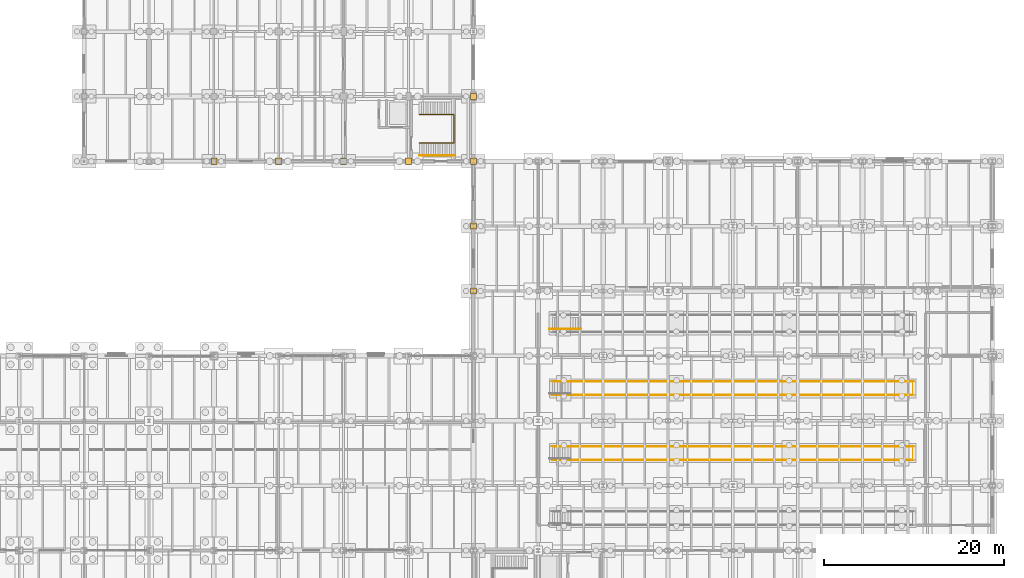
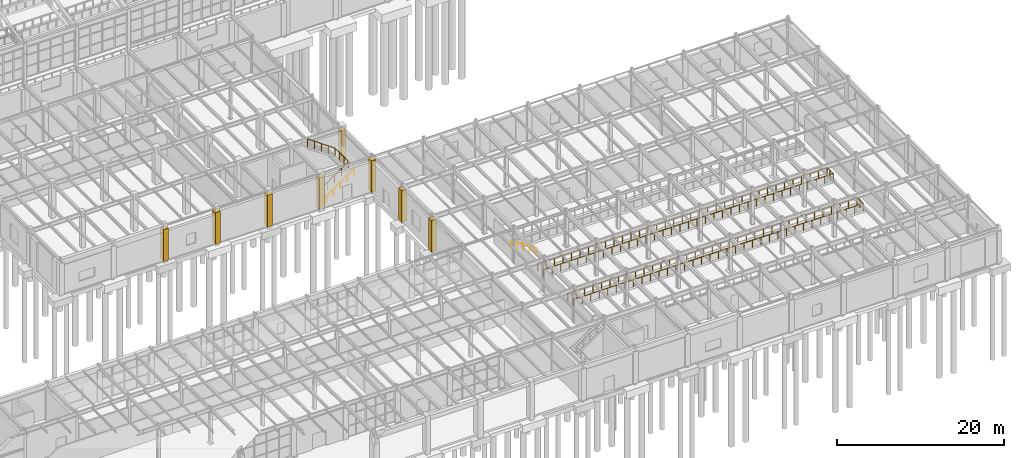
# One storey, part 290 of 293: 8 coverings, 5 railings.
"""IFC4 building model written with IfcOpenShell, lengths in metres."""

from ifc_helpers import new_model, si_unit, direction, frame, origin, origin_2d, place, context, subcontext, project, spatial, polyline, circle, outline, extrude, material, layer, layer_set, type_object, element, save


model = new_model("IFC4")

# Units and contexts
model_context = context("Model", 3, precision=1e-05, world=origin(), true_north=direction((0.0, 1.0)))
body_context = subcontext(model_context, "Body", "Model", "MODEL_VIEW")
ifc_project = project(units=[si_unit("LENGTHUNIT", "METRE"), si_unit("AREAUNIT", "SQUARE_METRE"), si_unit("VOLUMEUNIT", "CUBIC_METRE"), si_unit("PLANEANGLEUNIT", "RADIAN"), si_unit("MASSUNIT", "GRAM", prefix="KILO")], contexts=[model_context])

# Site, building, storey
site_placement = place(None, origin())
site = spatial("IfcSite", under=ifc_project, at=site_placement, CompositionType="ELEMENT")
building_placement = place(site_placement, origin())
building = spatial("IfcBuilding", under=site, at=building_placement, Name="Kemerveld Promenade Tramway Depot", CompositionType="ELEMENT")
storey_placement = place(building_placement, origin())
storey = spatial("IfcBuildingStorey", under=building, at=storey_placement, Name="L00", CompositionType="ELEMENT", Elevation=0.0)

# Coverings
ifc_material_1 = material(Name="Dressed Harare granite ashlar cladding", Category="masonry")
ifc_layer = layer(ifc_material_1, 0.050048828125)
ifc_layer_set = layer_set([ifc_layer], Name="COV-CLAD-GRAN")
covering_type = type_object("IfcCoveringType", Name="COV-CLAD-GRAN", PredefinedType="CLADDING", material=ifc_layer_set)
covering_1_placement = place(storey_placement, origin())
element("IfcCovering", 1, at=covering_1_placement, inside=storey, type_object=covering_type, Name="CLAD-PIER-L00-156", PredefinedType="CLADDING", context=body_context, shape_type="SweptSolid", body=[
    extrude(outline(polyline([(158.06005859375, 57.260009765625), (158.739990234375, 57.260009765625), (158.739990234375, 57.93994140625), (158.06005859375, 57.93994140625), (158.06005859375, 57.260009765625)])), origin(), (0.0, 0.0, 1.0), 4.64990234375),
])
covering_2_placement = place(storey_placement, origin())
element("IfcCovering", 2, at=covering_2_placement, inside=storey, type_object=covering_type, Name="CLAD-PIER-L00-157", PredefinedType="CLADDING", context=body_context, shape_type="SweptSolid", body=[
    extrude(outline(polyline([(158.06005859375, 50.06005859375), (158.739990234375, 50.06005859375), (158.739990234375, 50.739990234375), (158.06005859375, 50.739990234375), (158.06005859375, 50.06005859375)])), origin(), (0.0, 0.0, 1.0), 4.64990234375),
])
covering_3_placement = place(storey_placement, origin())
element("IfcCovering", 3, at=covering_3_placement, inside=storey, type_object=covering_type, Name="CLAD-PIER-L00-158", PredefinedType="CLADDING", context=body_context, shape_type="SweptSolid", body=[
    extrude(outline(polyline([(150.860107421875, 50.06005859375), (151.5400390625, 50.06005859375), (151.5400390625, 50.739990234375), (150.860107421875, 50.739990234375), (150.860107421875, 50.06005859375)])), origin(), (0.0, 0.0, 1.0), 4.64990234375),
])
covering_4_placement = place(storey_placement, origin())
element("IfcCovering", 4, at=covering_4_placement, inside=storey, type_object=covering_type, Name="CLAD-PIER-L00-159", PredefinedType="CLADDING", context=body_context, shape_type="SweptSolid", body=[
    extrude(outline(polyline([(143.659912109375, 50.06005859375), (144.340087890625, 50.06005859375), (144.340087890625, 50.739990234375), (143.659912109375, 50.739990234375), (143.659912109375, 50.06005859375)])), origin(), (0.0, 0.0, 1.0), 4.64990234375),
])
covering_5_placement = place(storey_placement, origin())
element("IfcCovering", 5, at=covering_5_placement, inside=storey, type_object=covering_type, Name="CLAD-PIER-L00-160", PredefinedType="CLADDING", context=body_context, shape_type="SweptSolid", body=[
    extrude(outline(polyline([(136.4599609375, 50.06005859375), (137.139892578125, 50.06005859375), (137.139892578125, 50.739990234375), (136.4599609375, 50.739990234375), (136.4599609375, 50.06005859375)])), origin(), (0.0, 0.0, 1.0), 4.64990234375),
])
covering_6_placement = place(storey_placement, origin())
element("IfcCovering", 6, at=covering_6_placement, inside=storey, type_object=covering_type, Name="CLAD-PIER-L00-161", PredefinedType="CLADDING", context=body_context, shape_type="SweptSolid", body=[
    extrude(outline(polyline([(129.260009765625, 50.06005859375), (129.93994140625, 50.06005859375), (129.93994140625, 50.739990234375), (129.260009765625, 50.739990234375), (129.260009765625, 50.06005859375)])), origin(), (0.0, 0.0, 1.0), 4.64990234375),
])
covering_7_placement = place(storey_placement, origin())
element("IfcCovering", 7, at=covering_7_placement, inside=storey, type_object=covering_type, Name="CLAD-PIER-L00-187", PredefinedType="CLADDING", context=body_context, shape_type="SweptSolid", body=[
    extrude(outline(polyline([(158.06005859375, 35.659912109375), (158.739990234375, 35.659912109375), (158.739990234375, 36.340087890625), (158.06005859375, 36.340087890625), (158.06005859375, 35.659912109375)])), origin(), (0.0, 0.0, 1.0), 4.64990234375),
])
covering_8_placement = place(storey_placement, origin())
element("IfcCovering", 8, at=covering_8_placement, inside=storey, type_object=covering_type, Name="CLAD-PIER-L00-188", PredefinedType="CLADDING", context=body_context, shape_type="SweptSolid", body=[
    extrude(outline(polyline([(158.06005859375, 42.860107421875), (158.739990234375, 42.860107421875), (158.739990234375, 43.5400390625), (158.06005859375, 43.5400390625), (158.06005859375, 42.860107421875)])), origin(), (0.0, 0.0, 1.0), 4.64990234375),
])

# Railings
ifc_material_2 = material(Name="Galvanised painted steel balustrade", Category="steel")
railing_type_1 = type_object("IfcRailingType", Name="RL-GRD-1100", PredefinedType="GUARDRAIL", material=ifc_material_2)
railing_1_placement = place(storey_placement, frame((152.419921875, 52.4150390625, 0.0)))
element("IfcRailing", 9, at=railing_1_placement, inside=storey, type_object=railing_type_1, Name="RL-GRD-ST-06-L00", PredefinedType="GUARDRAIL", context=body_context, shape_type="SweptSolid", body=[
    extrude(circle(Radius=0.02392578125, at=origin_2d()), frame((0.0, 0.0, 1.09619140625), z_axis=(0.815907329288, 0.0, 0.578182696052), x_axis=(0.0, 1.0, 0.0)), (0.0, 0.0, 1.0), 4.669677734375),
    extrude(circle(Radius=0.02392578125, at=origin_2d()), frame((3.81005859375, 0.0, 3.7958984375), z_axis=(0.0, 1.0, 0.0), x_axis=(-1.0, 0.0, 0.0)), (0.0, 0.0, 1.0), 3.169921875),
    extrude(circle(Radius=0.02392578125, at=origin_2d()), frame((3.81005859375, 3.169921875, 3.7958984375), z_axis=(-0.815907329288, 0.0, 0.578182696052), x_axis=(0.0, -1.0, 0.0)), (0.0, 0.0, 1.0), 4.669677734375),
    extrude(circle(Radius=0.02099609375, at=origin_2d()), origin(), (0.0, 0.0, 1.0), 1.072021484375),
    extrude(circle(Radius=0.02099609375, at=origin_2d()), frame((0.95263671875, 0.0, 0.675048828125)), (0.0, 0.0, 1.0), 1.072021484375),
    extrude(circle(Radius=0.02099609375, at=origin_2d()), frame((1.905029296875, 0.0, 1.35009765625)), (0.0, 0.0, 1.0), 1.072021484375),
    extrude(circle(Radius=0.02099609375, at=origin_2d()), frame((2.857421875, 0.0, 2.02490234375)), (0.0, 0.0, 1.0), 1.072021484375),
    extrude(circle(Radius=0.02099609375, at=origin_2d()), frame((3.81005859375, 0.0, 2.699951171875)), (0.0, 0.0, 1.0), 1.072021484375),
    extrude(circle(Radius=0.02099609375, at=origin_2d()), frame((3.81005859375, 1.056640625, 2.699951171875)), (0.0, 0.0, 1.0), 1.072021484375),
    extrude(circle(Radius=0.02099609375, at=origin_2d()), frame((3.81005859375, 2.11328125, 2.699951171875)), (0.0, 0.0, 1.0), 1.072021484375),
    extrude(circle(Radius=0.02099609375, at=origin_2d()), frame((3.81005859375, 3.169921875, 2.699951171875)), (0.0, 0.0, 1.0), 1.072021484375),
    extrude(circle(Radius=0.02099609375, at=origin_2d()), frame((2.857421875, 3.169921875, 3.375)), (0.0, 0.0, 1.0), 1.072021484375),
    extrude(circle(Radius=0.02099609375, at=origin_2d()), frame((1.905029296875, 3.169921875, 4.0498046875)), (0.0, 0.0, 1.0), 1.072021484375),
    extrude(circle(Radius=0.02099609375, at=origin_2d()), frame((0.95263671875, 3.169921875, 4.724853515625)), (0.0, 0.0, 1.0), 1.072021484375),
    extrude(circle(Radius=0.02099609375, at=origin_2d()), frame((0.0, 3.169921875, 5.39990234375)), (0.0, 0.0, 1.0), 1.072021484375),
])
railing_2_placement = place(storey_placement, frame((167.14990234375, 17.39501953125, 0.0)))
element("IfcRailing", 10, at=railing_2_placement, inside=storey, type_object=railing_type_1, Name="RL-PIT-PIT-09", PredefinedType="GUARDRAIL", context=body_context, shape_type="SweptSolid", body=[
    extrude(circle(Radius=0.02392578125, at=origin_2d()), frame((0.0, 0.0, 1.09619140625), z_axis=(0.0, -1.0, 0.0), x_axis=(1.0, 0.0, 0.0)), (0.0, 0.0, 1.0), 0.14501953125),
    extrude(circle(Radius=0.02392578125, at=origin_2d()), frame((0.0, -0.14501953125, 1.09619140625), z_axis=(1.0, 0.0, 0.0), x_axis=(0.0, 1.0, 0.0)), (0.0, 0.0, 1.0), 40.10009765625),
    extrude(circle(Radius=0.02392578125, at=origin_2d()), frame((40.10009765625, -0.14501953125, 1.09619140625), z_axis=(0.0, 1.0, 0.0), x_axis=(-1.0, 0.0, 0.0)), (0.0, 0.0, 1.0), 1.5),
    extrude(circle(Radius=0.02392578125, at=origin_2d()), frame((40.10009765625, 1.35498046875, 1.09619140625), z_axis=(-1.0, 0.0, 0.0), x_axis=(0.0, -1.0, 0.0)), (0.0, 0.0, 1.0), 40.10009765625),
    extrude(circle(Radius=0.02392578125, at=origin_2d()), frame((0.0, 1.35498046875, 1.09619140625), z_axis=(0.0, -1.0, 0.0), x_axis=(1.0, 0.0, 0.0)), (0.0, 0.0, 1.0), 0.14501953125),
    extrude(circle(Radius=0.02099609375, at=origin_2d()), origin(), (0.0, 0.0, 1.0), 1.072021484375),
    extrude(circle(Radius=0.02099609375, at=origin_2d()), frame((0.0, -0.14501953125, 0.0)), (0.0, 0.0, 1.0), 1.072021484375),
    extrude(circle(Radius=0.02099609375, at=origin_2d()), frame((1.179443359375, -0.14501953125, 0.0)), (0.0, 0.0, 1.0), 1.072021484375),
    extrude(circle(Radius=0.02099609375, at=origin_2d()), frame((2.35888671875, -0.14501953125, 0.0)), (0.0, 0.0, 1.0), 1.072021484375),
    extrude(circle(Radius=0.02099609375, at=origin_2d()), frame((3.538330078125, -0.14501953125, 0.0)), (0.0, 0.0, 1.0), 1.072021484375),
    extrude(circle(Radius=0.02099609375, at=origin_2d()), frame((4.7177734375, -0.14501953125, 0.0)), (0.0, 0.0, 1.0), 1.072021484375),
    extrude(circle(Radius=0.02099609375, at=origin_2d()), frame((5.89697265625, -0.14501953125, 0.0)), (0.0, 0.0, 1.0), 1.072021484375),
    extrude(circle(Radius=0.02099609375, at=origin_2d()), frame((7.076416015625, -0.14501953125, 0.0)), (0.0, 0.0, 1.0), 1.072021484375),
    extrude(circle(Radius=0.02099609375, at=origin_2d()), frame((8.255859375, -0.14501953125, 0.0)), (0.0, 0.0, 1.0), 1.072021484375),
    extrude(circle(Radius=0.02099609375, at=origin_2d()), frame((9.435302734375, -0.14501953125, 0.0)), (0.0, 0.0, 1.0), 1.072021484375),
    extrude(circle(Radius=0.02099609375, at=origin_2d()), frame((10.61474609375, -0.14501953125, 0.0)), (0.0, 0.0, 1.0), 1.072021484375),
    extrude(circle(Radius=0.02099609375, at=origin_2d()), frame((11.794189453125, -0.14501953125, 0.0)), (0.0, 0.0, 1.0), 1.072021484375),
    extrude(circle(Radius=0.02099609375, at=origin_2d()), frame((12.9736328125, -0.14501953125, 0.0)), (0.0, 0.0, 1.0), 1.072021484375),
    extrude(circle(Radius=0.02099609375, at=origin_2d()), frame((14.153076171875, -0.14501953125, 0.0)), (0.0, 0.0, 1.0), 1.072021484375),
    extrude(circle(Radius=0.02099609375, at=origin_2d()), frame((15.332275390625, -0.14501953125, 0.0)), (0.0, 0.0, 1.0), 1.072021484375),
    extrude(circle(Radius=0.02099609375, at=origin_2d()), frame((16.51171875, -0.14501953125, 0.0)), (0.0, 0.0, 1.0), 1.072021484375),
    extrude(circle(Radius=0.02099609375, at=origin_2d()), frame((17.691162109375, -0.14501953125, 0.0)), (0.0, 0.0, 1.0), 1.072021484375),
    extrude(circle(Radius=0.02099609375, at=origin_2d()), frame((18.87060546875, -0.14501953125, 0.0)), (0.0, 0.0, 1.0), 1.072021484375),
    extrude(circle(Radius=0.02099609375, at=origin_2d()), frame((20.050048828125, -0.14501953125, 0.0)), (0.0, 0.0, 1.0), 1.072021484375),
    extrude(circle(Radius=0.02099609375, at=origin_2d()), frame((21.2294921875, -0.14501953125, 0.0)), (0.0, 0.0, 1.0), 1.072021484375),
    extrude(circle(Radius=0.02099609375, at=origin_2d()), frame((22.408935546875, -0.14501953125, 0.0)), (0.0, 0.0, 1.0), 1.072021484375),
    extrude(circle(Radius=0.02099609375, at=origin_2d()), frame((23.58837890625, -0.14501953125, 0.0)), (0.0, 0.0, 1.0), 1.072021484375),
    extrude(circle(Radius=0.02099609375, at=origin_2d()), frame((24.767822265625, -0.14501953125, 0.0)), (0.0, 0.0, 1.0), 1.072021484375),
    extrude(circle(Radius=0.02099609375, at=origin_2d()), frame((25.947021484375, -0.14501953125, 0.0)), (0.0, 0.0, 1.0), 1.072021484375),
    extrude(circle(Radius=0.02099609375, at=origin_2d()), frame((27.12646484375, -0.14501953125, 0.0)), (0.0, 0.0, 1.0), 1.072021484375),
    extrude(circle(Radius=0.02099609375, at=origin_2d()), frame((28.305908203125, -0.14501953125, 0.0)), (0.0, 0.0, 1.0), 1.072021484375),
    extrude(circle(Radius=0.02099609375, at=origin_2d()), frame((29.4853515625, -0.14501953125, 0.0)), (0.0, 0.0, 1.0), 1.072021484375),
    extrude(circle(Radius=0.02099609375, at=origin_2d()), frame((30.664794921875, -0.14501953125, 0.0)), (0.0, 0.0, 1.0), 1.072021484375),
    extrude(circle(Radius=0.02099609375, at=origin_2d()), frame((31.84423828125, -0.14501953125, 0.0)), (0.0, 0.0, 1.0), 1.072021484375),
    extrude(circle(Radius=0.02099609375, at=origin_2d()), frame((33.023681640625, -0.14501953125, 0.0)), (0.0, 0.0, 1.0), 1.072021484375),
    extrude(circle(Radius=0.02099609375, at=origin_2d()), frame((34.203125, -0.14501953125, 0.0)), (0.0, 0.0, 1.0), 1.072021484375),
    extrude(circle(Radius=0.02099609375, at=origin_2d()), frame((35.38232421875, -0.14501953125, 0.0)), (0.0, 0.0, 1.0), 1.072021484375),
    extrude(circle(Radius=0.02099609375, at=origin_2d()), frame((36.561767578125, -0.14501953125, 0.0)), (0.0, 0.0, 1.0), 1.072021484375),
    extrude(circle(Radius=0.02099609375, at=origin_2d()), frame((37.7412109375, -0.14501953125, 0.0)), (0.0, 0.0, 1.0), 1.072021484375),
    extrude(circle(Radius=0.02099609375, at=origin_2d()), frame((38.920654296875, -0.14501953125, 0.0)), (0.0, 0.0, 1.0), 1.072021484375),
    extrude(circle(Radius=0.02099609375, at=origin_2d()), frame((40.10009765625, -0.14501953125, 0.0)), (0.0, 0.0, 1.0), 1.072021484375),
    extrude(circle(Radius=0.02099609375, at=origin_2d()), frame((40.10009765625, 0.60498046875, 0.0)), (0.0, 0.0, 1.0), 1.072021484375),
    extrude(circle(Radius=0.02099609375, at=origin_2d()), frame((40.10009765625, 1.35498046875, 0.0)), (0.0, 0.0, 1.0), 1.072021484375),
    extrude(circle(Radius=0.02099609375, at=origin_2d()), frame((38.920654296875, 1.35498046875, 0.0)), (0.0, 0.0, 1.0), 1.072021484375),
    extrude(circle(Radius=0.02099609375, at=origin_2d()), frame((37.7412109375, 1.35498046875, 0.0)), (0.0, 0.0, 1.0), 1.072021484375),
    extrude(circle(Radius=0.02099609375, at=origin_2d()), frame((36.561767578125, 1.35498046875, 0.0)), (0.0, 0.0, 1.0), 1.072021484375),
    extrude(circle(Radius=0.02099609375, at=origin_2d()), frame((35.38232421875, 1.35498046875, 0.0)), (0.0, 0.0, 1.0), 1.072021484375),
    extrude(circle(Radius=0.02099609375, at=origin_2d()), frame((34.203125, 1.35498046875, 0.0)), (0.0, 0.0, 1.0), 1.072021484375),
    extrude(circle(Radius=0.02099609375, at=origin_2d()), frame((33.023681640625, 1.35498046875, 0.0)), (0.0, 0.0, 1.0), 1.072021484375),
    extrude(circle(Radius=0.02099609375, at=origin_2d()), frame((31.84423828125, 1.35498046875, 0.0)), (0.0, 0.0, 1.0), 1.072021484375),
    extrude(circle(Radius=0.02099609375, at=origin_2d()), frame((30.664794921875, 1.35498046875, 0.0)), (0.0, 0.0, 1.0), 1.072021484375),
    extrude(circle(Radius=0.02099609375, at=origin_2d()), frame((29.4853515625, 1.35498046875, 0.0)), (0.0, 0.0, 1.0), 1.072021484375),
    extrude(circle(Radius=0.02099609375, at=origin_2d()), frame((28.305908203125, 1.35498046875, 0.0)), (0.0, 0.0, 1.0), 1.072021484375),
    extrude(circle(Radius=0.02099609375, at=origin_2d()), frame((27.12646484375, 1.35498046875, 0.0)), (0.0, 0.0, 1.0), 1.072021484375),
    extrude(circle(Radius=0.02099609375, at=origin_2d()), frame((25.947021484375, 1.35498046875, 0.0)), (0.0, 0.0, 1.0), 1.072021484375),
    extrude(circle(Radius=0.02099609375, at=origin_2d()), frame((24.767822265625, 1.35498046875, 0.0)), (0.0, 0.0, 1.0), 1.072021484375),
    extrude(circle(Radius=0.02099609375, at=origin_2d()), frame((23.58837890625, 1.35498046875, 0.0)), (0.0, 0.0, 1.0), 1.072021484375),
    extrude(circle(Radius=0.02099609375, at=origin_2d()), frame((22.408935546875, 1.35498046875, 0.0)), (0.0, 0.0, 1.0), 1.072021484375),
    extrude(circle(Radius=0.02099609375, at=origin_2d()), frame((21.2294921875, 1.35498046875, 0.0)), (0.0, 0.0, 1.0), 1.072021484375),
    extrude(circle(Radius=0.02099609375, at=origin_2d()), frame((20.050048828125, 1.35498046875, 0.0)), (0.0, 0.0, 1.0), 1.072021484375),
    extrude(circle(Radius=0.02099609375, at=origin_2d()), frame((18.87060546875, 1.35498046875, 0.0)), (0.0, 0.0, 1.0), 1.072021484375),
    extrude(circle(Radius=0.02099609375, at=origin_2d()), frame((17.691162109375, 1.35498046875, 0.0)), (0.0, 0.0, 1.0), 1.072021484375),
    extrude(circle(Radius=0.02099609375, at=origin_2d()), frame((16.51171875, 1.35498046875, 0.0)), (0.0, 0.0, 1.0), 1.072021484375),
    extrude(circle(Radius=0.02099609375, at=origin_2d()), frame((15.332275390625, 1.35498046875, 0.0)), (0.0, 0.0, 1.0), 1.072021484375),
    extrude(circle(Radius=0.02099609375, at=origin_2d()), frame((14.153076171875, 1.35498046875, 0.0)), (0.0, 0.0, 1.0), 1.072021484375),
    extrude(circle(Radius=0.02099609375, at=origin_2d()), frame((12.9736328125, 1.35498046875, 0.0)), (0.0, 0.0, 1.0), 1.072021484375),
    extrude(circle(Radius=0.02099609375, at=origin_2d()), frame((11.794189453125, 1.35498046875, 0.0)), (0.0, 0.0, 1.0), 1.072021484375),
    extrude(circle(Radius=0.02099609375, at=origin_2d()), frame((10.61474609375, 1.35498046875, 0.0)), (0.0, 0.0, 1.0), 1.072021484375),
    extrude(circle(Radius=0.02099609375, at=origin_2d()), frame((9.435302734375, 1.35498046875, 0.0)), (0.0, 0.0, 1.0), 1.072021484375),
    extrude(circle(Radius=0.02099609375, at=origin_2d()), frame((8.255859375, 1.35498046875, 0.0)), (0.0, 0.0, 1.0), 1.072021484375),
    extrude(circle(Radius=0.02099609375, at=origin_2d()), frame((7.076416015625, 1.35498046875, 0.0)), (0.0, 0.0, 1.0), 1.072021484375),
    extrude(circle(Radius=0.02099609375, at=origin_2d()), frame((5.89697265625, 1.35498046875, 0.0)), (0.0, 0.0, 1.0), 1.072021484375),
    extrude(circle(Radius=0.02099609375, at=origin_2d()), frame((4.7177734375, 1.35498046875, 0.0)), (0.0, 0.0, 1.0), 1.072021484375),
    extrude(circle(Radius=0.02099609375, at=origin_2d()), frame((3.538330078125, 1.35498046875, 0.0)), (0.0, 0.0, 1.0), 1.072021484375),
    extrude(circle(Radius=0.02099609375, at=origin_2d()), frame((2.35888671875, 1.35498046875, 0.0)), (0.0, 0.0, 1.0), 1.072021484375),
    extrude(circle(Radius=0.02099609375, at=origin_2d()), frame((1.179443359375, 1.35498046875, 0.0)), (0.0, 0.0, 1.0), 1.072021484375),
    extrude(circle(Radius=0.02099609375, at=origin_2d()), frame((0.0, 1.35498046875, 0.0)), (0.0, 0.0, 1.0), 1.072021484375),
    extrude(circle(Radius=0.02099609375, at=origin_2d()), frame((0.0, 1.2099609375, 0.0)), (0.0, 0.0, 1.0), 1.072021484375),
])
railing_3_placement = place(storey_placement, frame((167.14990234375, 24.594970703125, 0.0)))
element("IfcRailing", 11, at=railing_3_placement, inside=storey, type_object=railing_type_1, Name="RL-PIT-PIT-10", PredefinedType="GUARDRAIL", context=body_context, shape_type="SweptSolid", body=[
    extrude(circle(Radius=0.02392578125, at=origin_2d()), frame((0.0, 0.0, 1.09619140625), z_axis=(0.0, -1.0, 0.0), x_axis=(1.0, 0.0, 0.0)), (0.0, 0.0, 1.0), 0.14501953125),
    extrude(circle(Radius=0.02392578125, at=origin_2d()), frame((0.0, -0.14501953125, 1.09619140625), z_axis=(1.0, 0.0, 0.0), x_axis=(0.0, 1.0, 0.0)), (0.0, 0.0, 1.0), 40.10009765625),
    extrude(circle(Radius=0.02392578125, at=origin_2d()), frame((40.10009765625, -0.14501953125, 1.09619140625), z_axis=(0.0, 1.0, 0.0), x_axis=(-1.0, 0.0, 0.0)), (0.0, 0.0, 1.0), 1.5),
    extrude(circle(Radius=0.02392578125, at=origin_2d()), frame((40.10009765625, 1.35498046875, 1.09619140625), z_axis=(-1.0, 0.0, 0.0), x_axis=(0.0, -1.0, 0.0)), (0.0, 0.0, 1.0), 40.10009765625),
    extrude(circle(Radius=0.02392578125, at=origin_2d()), frame((0.0, 1.35498046875, 1.09619140625), z_axis=(0.0, -1.0, 0.0), x_axis=(1.0, 0.0, 0.0)), (0.0, 0.0, 1.0), 0.14501953125),
    extrude(circle(Radius=0.02099609375, at=origin_2d()), origin(), (0.0, 0.0, 1.0), 1.072021484375),
    extrude(circle(Radius=0.02099609375, at=origin_2d()), frame((0.0, -0.14501953125, 0.0)), (0.0, 0.0, 1.0), 1.072021484375),
    extrude(circle(Radius=0.02099609375, at=origin_2d()), frame((1.179443359375, -0.14501953125, 0.0)), (0.0, 0.0, 1.0), 1.072021484375),
    extrude(circle(Radius=0.02099609375, at=origin_2d()), frame((2.35888671875, -0.14501953125, 0.0)), (0.0, 0.0, 1.0), 1.072021484375),
    extrude(circle(Radius=0.02099609375, at=origin_2d()), frame((3.538330078125, -0.14501953125, 0.0)), (0.0, 0.0, 1.0), 1.072021484375),
    extrude(circle(Radius=0.02099609375, at=origin_2d()), frame((4.7177734375, -0.14501953125, 0.0)), (0.0, 0.0, 1.0), 1.072021484375),
    extrude(circle(Radius=0.02099609375, at=origin_2d()), frame((5.89697265625, -0.14501953125, 0.0)), (0.0, 0.0, 1.0), 1.072021484375),
    extrude(circle(Radius=0.02099609375, at=origin_2d()), frame((7.076416015625, -0.14501953125, 0.0)), (0.0, 0.0, 1.0), 1.072021484375),
    extrude(circle(Radius=0.02099609375, at=origin_2d()), frame((8.255859375, -0.14501953125, 0.0)), (0.0, 0.0, 1.0), 1.072021484375),
    extrude(circle(Radius=0.02099609375, at=origin_2d()), frame((9.435302734375, -0.14501953125, 0.0)), (0.0, 0.0, 1.0), 1.072021484375),
    extrude(circle(Radius=0.02099609375, at=origin_2d()), frame((10.61474609375, -0.14501953125, 0.0)), (0.0, 0.0, 1.0), 1.072021484375),
    extrude(circle(Radius=0.02099609375, at=origin_2d()), frame((11.794189453125, -0.14501953125, 0.0)), (0.0, 0.0, 1.0), 1.072021484375),
    extrude(circle(Radius=0.02099609375, at=origin_2d()), frame((12.9736328125, -0.14501953125, 0.0)), (0.0, 0.0, 1.0), 1.072021484375),
    extrude(circle(Radius=0.02099609375, at=origin_2d()), frame((14.153076171875, -0.14501953125, 0.0)), (0.0, 0.0, 1.0), 1.072021484375),
    extrude(circle(Radius=0.02099609375, at=origin_2d()), frame((15.332275390625, -0.14501953125, 0.0)), (0.0, 0.0, 1.0), 1.072021484375),
    extrude(circle(Radius=0.02099609375, at=origin_2d()), frame((16.51171875, -0.14501953125, 0.0)), (0.0, 0.0, 1.0), 1.072021484375),
    extrude(circle(Radius=0.02099609375, at=origin_2d()), frame((17.691162109375, -0.14501953125, 0.0)), (0.0, 0.0, 1.0), 1.072021484375),
    extrude(circle(Radius=0.02099609375, at=origin_2d()), frame((18.87060546875, -0.14501953125, 0.0)), (0.0, 0.0, 1.0), 1.072021484375),
    extrude(circle(Radius=0.02099609375, at=origin_2d()), frame((20.050048828125, -0.14501953125, 0.0)), (0.0, 0.0, 1.0), 1.072021484375),
    extrude(circle(Radius=0.02099609375, at=origin_2d()), frame((21.2294921875, -0.14501953125, 0.0)), (0.0, 0.0, 1.0), 1.072021484375),
    extrude(circle(Radius=0.02099609375, at=origin_2d()), frame((22.408935546875, -0.14501953125, 0.0)), (0.0, 0.0, 1.0), 1.072021484375),
    extrude(circle(Radius=0.02099609375, at=origin_2d()), frame((23.58837890625, -0.14501953125, 0.0)), (0.0, 0.0, 1.0), 1.072021484375),
    extrude(circle(Radius=0.02099609375, at=origin_2d()), frame((24.767822265625, -0.14501953125, 0.0)), (0.0, 0.0, 1.0), 1.072021484375),
    extrude(circle(Radius=0.02099609375, at=origin_2d()), frame((25.947021484375, -0.14501953125, 0.0)), (0.0, 0.0, 1.0), 1.072021484375),
    extrude(circle(Radius=0.02099609375, at=origin_2d()), frame((27.12646484375, -0.14501953125, 0.0)), (0.0, 0.0, 1.0), 1.072021484375),
    extrude(circle(Radius=0.02099609375, at=origin_2d()), frame((28.305908203125, -0.14501953125, 0.0)), (0.0, 0.0, 1.0), 1.072021484375),
    extrude(circle(Radius=0.02099609375, at=origin_2d()), frame((29.4853515625, -0.14501953125, 0.0)), (0.0, 0.0, 1.0), 1.072021484375),
    extrude(circle(Radius=0.02099609375, at=origin_2d()), frame((30.664794921875, -0.14501953125, 0.0)), (0.0, 0.0, 1.0), 1.072021484375),
    extrude(circle(Radius=0.02099609375, at=origin_2d()), frame((31.84423828125, -0.14501953125, 0.0)), (0.0, 0.0, 1.0), 1.072021484375),
    extrude(circle(Radius=0.02099609375, at=origin_2d()), frame((33.023681640625, -0.14501953125, 0.0)), (0.0, 0.0, 1.0), 1.072021484375),
    extrude(circle(Radius=0.02099609375, at=origin_2d()), frame((34.203125, -0.14501953125, 0.0)), (0.0, 0.0, 1.0), 1.072021484375),
    extrude(circle(Radius=0.02099609375, at=origin_2d()), frame((35.38232421875, -0.14501953125, 0.0)), (0.0, 0.0, 1.0), 1.072021484375),
    extrude(circle(Radius=0.02099609375, at=origin_2d()), frame((36.561767578125, -0.14501953125, 0.0)), (0.0, 0.0, 1.0), 1.072021484375),
    extrude(circle(Radius=0.02099609375, at=origin_2d()), frame((37.7412109375, -0.14501953125, 0.0)), (0.0, 0.0, 1.0), 1.072021484375),
    extrude(circle(Radius=0.02099609375, at=origin_2d()), frame((38.920654296875, -0.14501953125, 0.0)), (0.0, 0.0, 1.0), 1.072021484375),
    extrude(circle(Radius=0.02099609375, at=origin_2d()), frame((40.10009765625, -0.14501953125, 0.0)), (0.0, 0.0, 1.0), 1.072021484375),
    extrude(circle(Radius=0.02099609375, at=origin_2d()), frame((40.10009765625, 0.60498046875, 0.0)), (0.0, 0.0, 1.0), 1.072021484375),
    extrude(circle(Radius=0.02099609375, at=origin_2d()), frame((40.10009765625, 1.35498046875, 0.0)), (0.0, 0.0, 1.0), 1.072021484375),
    extrude(circle(Radius=0.02099609375, at=origin_2d()), frame((38.920654296875, 1.35498046875, 0.0)), (0.0, 0.0, 1.0), 1.072021484375),
    extrude(circle(Radius=0.02099609375, at=origin_2d()), frame((37.7412109375, 1.35498046875, 0.0)), (0.0, 0.0, 1.0), 1.072021484375),
    extrude(circle(Radius=0.02099609375, at=origin_2d()), frame((36.561767578125, 1.35498046875, 0.0)), (0.0, 0.0, 1.0), 1.072021484375),
    extrude(circle(Radius=0.02099609375, at=origin_2d()), frame((35.38232421875, 1.35498046875, 0.0)), (0.0, 0.0, 1.0), 1.072021484375),
    extrude(circle(Radius=0.02099609375, at=origin_2d()), frame((34.203125, 1.35498046875, 0.0)), (0.0, 0.0, 1.0), 1.072021484375),
    extrude(circle(Radius=0.02099609375, at=origin_2d()), frame((33.023681640625, 1.35498046875, 0.0)), (0.0, 0.0, 1.0), 1.072021484375),
    extrude(circle(Radius=0.02099609375, at=origin_2d()), frame((31.84423828125, 1.35498046875, 0.0)), (0.0, 0.0, 1.0), 1.072021484375),
    extrude(circle(Radius=0.02099609375, at=origin_2d()), frame((30.664794921875, 1.35498046875, 0.0)), (0.0, 0.0, 1.0), 1.072021484375),
    extrude(circle(Radius=0.02099609375, at=origin_2d()), frame((29.4853515625, 1.35498046875, 0.0)), (0.0, 0.0, 1.0), 1.072021484375),
    extrude(circle(Radius=0.02099609375, at=origin_2d()), frame((28.305908203125, 1.35498046875, 0.0)), (0.0, 0.0, 1.0), 1.072021484375),
    extrude(circle(Radius=0.02099609375, at=origin_2d()), frame((27.12646484375, 1.35498046875, 0.0)), (0.0, 0.0, 1.0), 1.072021484375),
    extrude(circle(Radius=0.02099609375, at=origin_2d()), frame((25.947021484375, 1.35498046875, 0.0)), (0.0, 0.0, 1.0), 1.072021484375),
    extrude(circle(Radius=0.02099609375, at=origin_2d()), frame((24.767822265625, 1.35498046875, 0.0)), (0.0, 0.0, 1.0), 1.072021484375),
    extrude(circle(Radius=0.02099609375, at=origin_2d()), frame((23.58837890625, 1.35498046875, 0.0)), (0.0, 0.0, 1.0), 1.072021484375),
    extrude(circle(Radius=0.02099609375, at=origin_2d()), frame((22.408935546875, 1.35498046875, 0.0)), (0.0, 0.0, 1.0), 1.072021484375),
    extrude(circle(Radius=0.02099609375, at=origin_2d()), frame((21.2294921875, 1.35498046875, 0.0)), (0.0, 0.0, 1.0), 1.072021484375),
    extrude(circle(Radius=0.02099609375, at=origin_2d()), frame((20.050048828125, 1.35498046875, 0.0)), (0.0, 0.0, 1.0), 1.072021484375),
    extrude(circle(Radius=0.02099609375, at=origin_2d()), frame((18.87060546875, 1.35498046875, 0.0)), (0.0, 0.0, 1.0), 1.072021484375),
    extrude(circle(Radius=0.02099609375, at=origin_2d()), frame((17.691162109375, 1.35498046875, 0.0)), (0.0, 0.0, 1.0), 1.072021484375),
    extrude(circle(Radius=0.02099609375, at=origin_2d()), frame((16.51171875, 1.35498046875, 0.0)), (0.0, 0.0, 1.0), 1.072021484375),
    extrude(circle(Radius=0.02099609375, at=origin_2d()), frame((15.332275390625, 1.35498046875, 0.0)), (0.0, 0.0, 1.0), 1.072021484375),
    extrude(circle(Radius=0.02099609375, at=origin_2d()), frame((14.153076171875, 1.35498046875, 0.0)), (0.0, 0.0, 1.0), 1.072021484375),
    extrude(circle(Radius=0.02099609375, at=origin_2d()), frame((12.9736328125, 1.35498046875, 0.0)), (0.0, 0.0, 1.0), 1.072021484375),
    extrude(circle(Radius=0.02099609375, at=origin_2d()), frame((11.794189453125, 1.35498046875, 0.0)), (0.0, 0.0, 1.0), 1.072021484375),
    extrude(circle(Radius=0.02099609375, at=origin_2d()), frame((10.61474609375, 1.35498046875, 0.0)), (0.0, 0.0, 1.0), 1.072021484375),
    extrude(circle(Radius=0.02099609375, at=origin_2d()), frame((9.435302734375, 1.35498046875, 0.0)), (0.0, 0.0, 1.0), 1.072021484375),
    extrude(circle(Radius=0.02099609375, at=origin_2d()), frame((8.255859375, 1.35498046875, 0.0)), (0.0, 0.0, 1.0), 1.072021484375),
    extrude(circle(Radius=0.02099609375, at=origin_2d()), frame((7.076416015625, 1.35498046875, 0.0)), (0.0, 0.0, 1.0), 1.072021484375),
    extrude(circle(Radius=0.02099609375, at=origin_2d()), frame((5.89697265625, 1.35498046875, 0.0)), (0.0, 0.0, 1.0), 1.072021484375),
    extrude(circle(Radius=0.02099609375, at=origin_2d()), frame((4.7177734375, 1.35498046875, 0.0)), (0.0, 0.0, 1.0), 1.072021484375),
    extrude(circle(Radius=0.02099609375, at=origin_2d()), frame((3.538330078125, 1.35498046875, 0.0)), (0.0, 0.0, 1.0), 1.072021484375),
    extrude(circle(Radius=0.02099609375, at=origin_2d()), frame((2.35888671875, 1.35498046875, 0.0)), (0.0, 0.0, 1.0), 1.072021484375),
    extrude(circle(Radius=0.02099609375, at=origin_2d()), frame((1.179443359375, 1.35498046875, 0.0)), (0.0, 0.0, 1.0), 1.072021484375),
    extrude(circle(Radius=0.02099609375, at=origin_2d()), frame((0.0, 1.35498046875, 0.0)), (0.0, 0.0, 1.0), 1.072021484375),
    extrude(circle(Radius=0.02099609375, at=origin_2d()), frame((0.0, 1.2099609375, 0.0)), (0.0, 0.0, 1.0), 1.072021484375),
])
ifc_material_3 = material(Name="Brushed stainless steel tubular handrail", Category="steel")
railing_type_2 = type_object("IfcRailingType", Name="RL-HR-920", PredefinedType="HANDRAIL", material=ifc_material_3)
railing_4_placement = place(storey_placement, frame((152.419921875, 51.044921875, 0.0)))
element("IfcRailing", 12, at=railing_4_placement, inside=storey, type_object=railing_type_2, Name="RL-HR-ST-06-L00", PredefinedType="HANDRAIL", context=body_context, shape_type="SweptSolid", body=[
    extrude(circle(Radius=0.02392578125, at=origin_2d()), frame((0.0, 0.0, 0.89599609375), z_axis=(0.81804024645, 0.0, 0.575160981976), x_axis=(0.0, 1.0, 0.0)), (0.0, 0.0, 1.0), 4.6943359375),
    extrude(circle(Radius=0.02099609375, at=origin_2d()), origin(), (0.0, 0.0, 1.0), 0.871826171875),
    extrude(circle(Radius=0.02099609375, at=origin_2d()), frame((0.9599609375, 0.0, 0.675048828125)), (0.0, 0.0, 1.0), 0.871826171875),
    extrude(circle(Radius=0.02099609375, at=origin_2d()), frame((1.919921875, 0.0, 1.35009765625)), (0.0, 0.0, 1.0), 0.871826171875),
    extrude(circle(Radius=0.02099609375, at=origin_2d()), frame((2.880126953125, 0.0, 2.02490234375)), (0.0, 0.0, 1.0), 0.871826171875),
    extrude(circle(Radius=0.02099609375, at=origin_2d()), frame((3.840087890625, 0.0, 2.699951171875)), (0.0, 0.0, 1.0), 0.871826171875),
])
railing_5_placement = place(storey_placement, frame((170.330078125, 31.800048828125, -2.199951171875)))
element("IfcRailing", 13, at=railing_5_placement, inside=storey, type_object=railing_type_2, Name="RL-HR-ST-P11", PredefinedType="HANDRAIL", context=body_context, shape_type="SweptSolid", body=[
    extrude(circle(Radius=0.02392578125, at=origin_2d()), frame((0.0, 0.0, 0.89599609375), z_axis=(-0.845261960257, 0.0, 0.534352148441), x_axis=(0.0, -1.0, 0.0)), (0.0, 0.0, 1.0), 4.116943359375),
    extrude(circle(Radius=0.02099609375, at=origin_2d()), origin(), (0.0, 0.0, 1.0), 0.871826171875),
    extrude(circle(Radius=0.02099609375, at=origin_2d()), frame((-0.8701171875, 0.0, 0.550048828125)), (0.0, 0.0, 1.0), 0.871826171875),
    extrude(circle(Radius=0.02099609375, at=origin_2d()), frame((-1.739990234375, 0.0, 1.10009765625)), (0.0, 0.0, 1.0), 0.871826171875),
    extrude(circle(Radius=0.02099609375, at=origin_2d()), frame((-2.60986328125, 0.0, 1.64990234375)), (0.0, 0.0, 1.0), 0.871826171875),
    extrude(circle(Radius=0.02099609375, at=origin_2d()), frame((-3.47998046875, 0.0, 2.199951171875)), (0.0, 0.0, 1.0), 0.871826171875),
])

save(model, "model.ifc")
